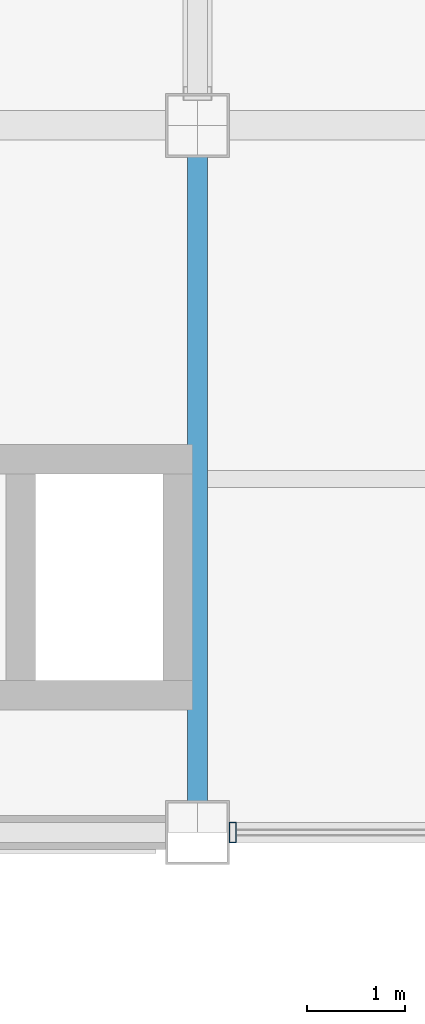
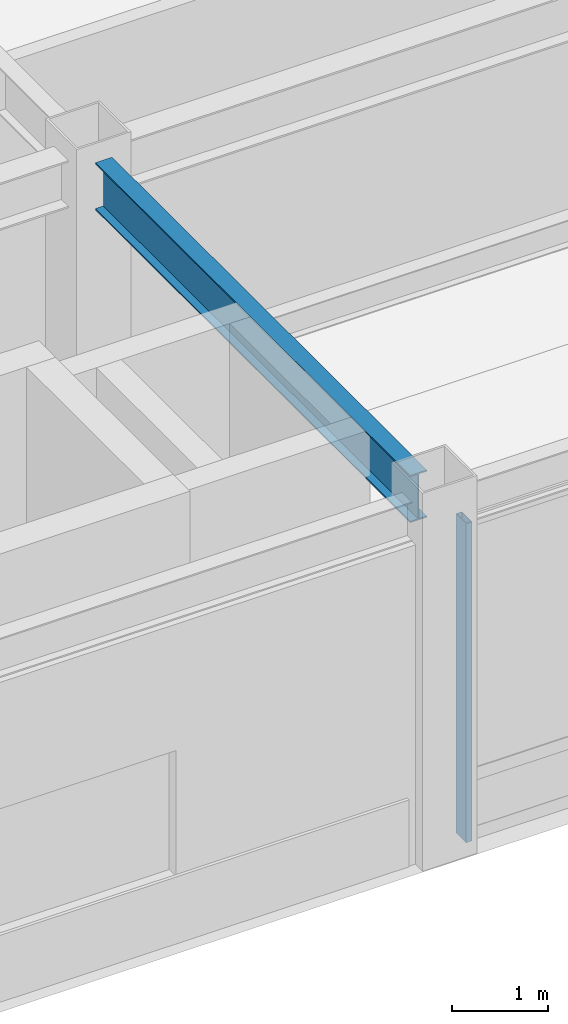
# One storey, part 52 of 112: 1 beam, 1 member, 1 element without a shape of its own.
"""IFC4 building model written with IfcOpenShell, lengths in metres."""

from ifc_helpers import new_model, si_unit, direction, frame, origin, origin_2d, place, context, subcontext, project, spatial, hollow_rectangle, i_section, extrude, material, material_profile, profile_set, type_object, element, aggregate, save


model = new_model("IFC4")

# Units and contexts
model_context = context("Model", 3, precision=1e-05, world=origin(), true_north=direction((0.0, 1.0)))
body_context = subcontext(model_context, "Body", "Model", "MODEL_VIEW")
ifc_project = project(units=[si_unit("LENGTHUNIT", "METRE"), si_unit("AREAUNIT", "SQUARE_METRE"), si_unit("VOLUMEUNIT", "CUBIC_METRE"), si_unit("PLANEANGLEUNIT", "RADIAN"), si_unit("MASSUNIT", "GRAM", prefix="KILO")], contexts=[model_context])

# Site, building, storey
site_placement = place(None, origin())
site = spatial("IfcSite", under=ifc_project, at=site_placement, CompositionType="ELEMENT")
building_placement = place(site_placement, origin())
building = spatial("IfcBuilding", under=site, at=building_placement, Name="Kazanami Central Library", CompositionType="ELEMENT")
storey_placement = place(building_placement, origin())
storey = spatial("IfcBuildingStorey", under=building, at=storey_placement, Name="L01", CompositionType="ELEMENT", Elevation=0.0)

# Beam
ifc_material_1 = material(Name="Steel SN490B (325 MPa)", Category="steel")
ifc_material_profile_1 = material_profile(ifc_material_1, i_section(OverallWidth=0.199951171875, OverallDepth=0.60009765625, WebThickness=0.010986328125, FlangeThickness=0.01708984375, at=origin_2d()), Name="H-600x200x11x17")
ifc_profile_set_1 = profile_set([ifc_material_profile_1], Name="Steel SN490B (325 MPa)")
beam_type = type_object("IfcBeamType", Name="BM-G-Y1", PredefinedType="BEAM", material=ifc_profile_set_1)
beam_placement = place(storey_placement, frame((63.0, 65.123046875, 4.2548828125), z_axis=(0.0, 1.0, 0.0), x_axis=(-1.0, 0.0, 0.0)))
element("IfcBeam", 1, at=beam_placement, inside=storey, type_object=beam_type, Name="Girder G-Y1 L01 8/K-L", PredefinedType="BEAM", context=body_context, shape_type="SweptSolid", body=[
    extrude(i_section(OverallWidth=0.199951171875, OverallDepth=0.60009765625, WebThickness=0.010986328125, FlangeThickness=0.01708984375, at=origin_2d()), origin(), (0.0, 0.0, 1.0), 6.553955078125),
])

# Curtain wall, member
ifc_material_2 = material(Name="Acid-Etched Low-E Laminated Glass", Category="glass")
curtain_wall_type = type_object("IfcCurtainWallType", Name="CW-8350x4055-M275", PredefinedType="USERDEFINED", material=ifc_material_2)
curtain_wall_placement = place(storey_placement, origin())
curtain_wall = element("IfcCurtainWall", 2, at=curtain_wall_placement, inside=storey, type_object=curtain_wall_type, Name="Unitised Curtain Wall CW-03 L01 S-K-07", ObjectType="UNITISED CURTAIN WALL", PredefinedType="USERDEFINED")
ifc_material_3 = material(Name="Anodised Aluminium A6063-T5", Category="aluminium")
ifc_material_profile_2 = material_profile(ifc_material_3, hollow_rectangle(XDim=0.070068359375, YDim=0.2099609375, WallThickness=0.0048828125, at=origin_2d()), Name="ALU-MULL-70x210x5")
ifc_profile_set_2 = profile_set([ifc_material_profile_2], Name="Anodised Aluminium A6063-T5")
member_type = type_object("IfcMemberType", Name="MEM-CW-M1", PredefinedType="MULLION", material=ifc_profile_set_2)
member_placement = place(storey_placement, frame((63.360107421875, 64.800048828125, 0.0), z_axis=(0.0, 0.0, 1.0), x_axis=(1.0, 0.0, 0.0)))
member = element("IfcMember", 3, at=member_placement, type_object=member_type, Name="CW-03 mullion 1", PredefinedType="MULLION", context=body_context, shape_type="SweptSolid", body=[
    extrude(hollow_rectangle(XDim=0.070068359375, YDim=0.2099609375, WallThickness=0.0048828125, at=origin_2d()), origin(), (0.0, 0.0, 1.0), 4.054931640625),
])
aggregate(curtain_wall, [member])

save(model, "model.ifc")
